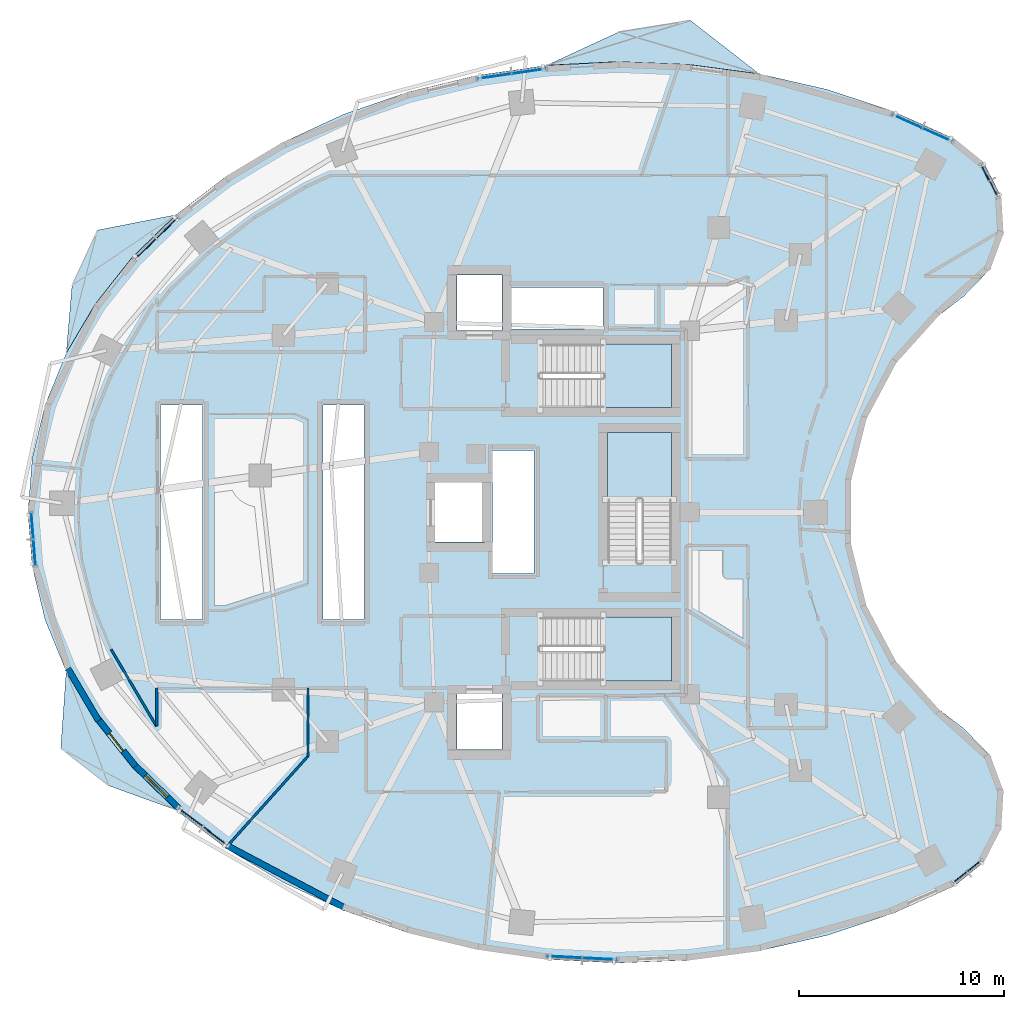
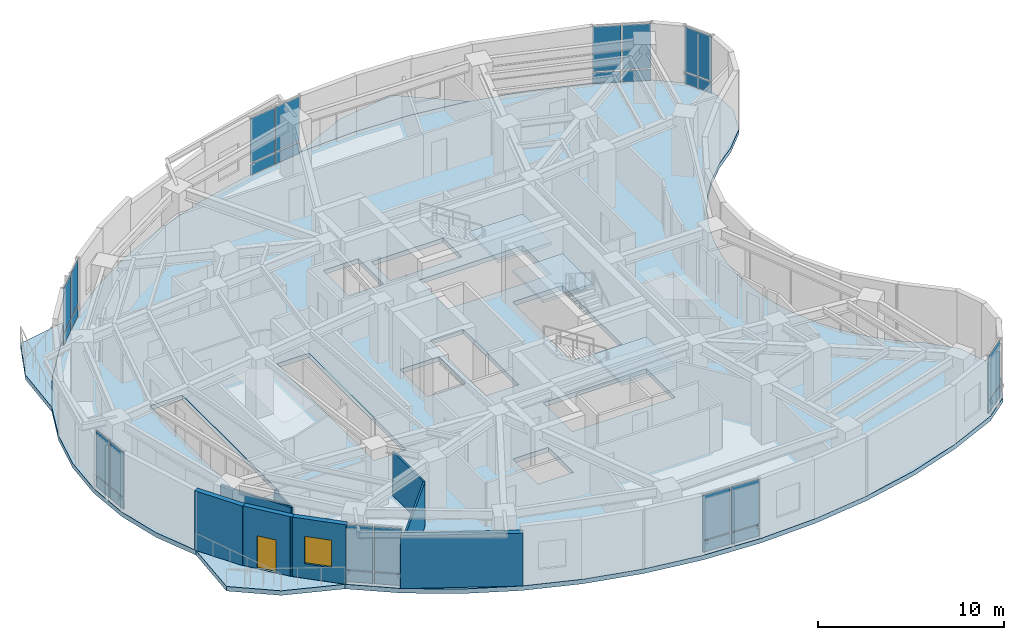
# One storey, part 7 of 15: 28 plates, 8 walls, 7 slabs, 1 door, 1 window, 2 openings, 11 elements without a shape of their own.
"""IFC4 building model written with IfcOpenShell, lengths in metres."""

from ifc_helpers import new_model, si_unit, direction, frame, frame_2d, origin, origin_2d, place, context, subcontext, project, spatial, polyline, rectangle, outline, extrude, material, layer, layer_set, type_object, element, fill, aggregate, save


model = new_model("IFC4")

# Units and contexts
model_context = context("Model", 3, precision=1e-05, world=origin(), true_north=direction((0.0, 1.0)))
body_context = subcontext(model_context, "Body", "Model", "MODEL_VIEW")
ifc_project = project(units=[si_unit("LENGTHUNIT", "METRE"), si_unit("AREAUNIT", "SQUARE_METRE"), si_unit("VOLUMEUNIT", "CUBIC_METRE"), si_unit("PLANEANGLEUNIT", "RADIAN"), si_unit("MASSUNIT", "GRAM", prefix="KILO")], contexts=[model_context])

# Site, building, storey
site_placement = place(None, origin())
site = spatial("IfcSite", under=ifc_project, at=site_placement, CompositionType="ELEMENT")
building_placement = place(site_placement, origin())
building = spatial("IfcBuilding", under=site, at=building_placement, Name="Korentha Bioscience Tower", CompositionType="ELEMENT")
storey_placement = place(building_placement, frame((0.0, 0.0, 98.39990234375)))
storey = spatial("IfcBuildingStorey", under=building, at=storey_placement, Name="L22", CompositionType="ELEMENT", Elevation=98.39990234375)

# Curtain wall, plates
ifc_material_1 = material(Name="Thermally Broken Aluminium Frame", Category="aluminium")
ifc_layer_1 = layer(ifc_material_1, 0.219970703125, Name="Thermally Broken Aluminium Frame")
ifc_layer_set_1 = layer_set([ifc_layer_1], Name="Thermally Broken Aluminium Frame (CW-T2)")
curtain_wall_type = type_object("IfcCurtainWallType", Name="Solar-Screened Lab Unitised Curtain Wall CW-T2", PredefinedType="USERDEFINED", material=ifc_layer_set_1)
curtain_wall_1_placement = place(storey_placement, origin())
curtain_wall_1 = element("IfcCurtainWall", 1, at=curtain_wall_1_placement, inside=storey, type_object=curtain_wall_type, Name="L22 Curtain Wall 01", ObjectType="UNITISED", PredefinedType="USERDEFINED")
ifc_material_2 = material(Name="Triple-Glazed Low-E Insulated Glass", Category="glass")
ifc_layer_2 = layer(ifc_material_2, 0.0439453125, Name="Triple-Glazed Low-E Insulated Glass")
ifc_layer_set_2 = layer_set([ifc_layer_2], Name="Triple-Glazed Low-E Insulated Glass (GL-44)")
plate_type = type_object("IfcPlateType", Name="Glazed Panel 44mm", PredefinedType="CURTAIN_PANEL", material=ifc_layer_set_2)
plate_1_placement = place(storey_placement, frame((49.61767578125, 45.385986328125, 0.08984375), z_axis=(0.0, 0.0, 1.0), x_axis=(-0.912686563127, 0.408660295952, 0.0)))
plate_1 = element("IfcPlate", 2, at=plate_1_placement, type_object=plate_type, Name="CW-L22-01 Bay 1 Glazed Panel 1", PredefinedType="CURTAIN_PANEL", context=body_context, shape_type="SweptSolid", body=[
    extrude(rectangle(XDim=1.54541015625, YDim=0.0439453125, at=origin_2d()), origin(), (0.0, 0.0, 1.0), 0.715087890625),
])
plate_2_placement = place(storey_placement, frame((49.61767578125, 45.385986328125, 0.89501953125), z_axis=(0.0, 0.0, 1.0), x_axis=(-0.912686563127, 0.408660295952, 0.0)))
plate_2 = element("IfcPlate", 3, at=plate_2_placement, type_object=plate_type, Name="CW-L22-01 Bay 1 Glazed Panel 2", PredefinedType="CURTAIN_PANEL", context=body_context, shape_type="SweptSolid", body=[
    extrude(rectangle(XDim=1.54541015625, YDim=0.0439453125, at=origin_2d()), origin(), (0.0, 0.0, 1.0), 2.9150390625),
])
plate_3_placement = place(storey_placement, frame((48.125, 46.05419921875, 0.08984375), z_axis=(0.0, 0.0, 1.0), x_axis=(-0.912686563127, 0.408660295952, 0.0)))
plate_3 = element("IfcPlate", 4, at=plate_3_placement, type_object=plate_type, Name="CW-L22-01 Bay 2 Glazed Panel 1", PredefinedType="CURTAIN_PANEL", context=body_context, shape_type="SweptSolid", body=[
    extrude(rectangle(XDim=1.54541015625, YDim=0.0439453125, at=origin_2d()), origin(), (0.0, 0.0, 1.0), 0.715087890625),
])
plate_4_placement = place(storey_placement, frame((48.125, 46.05419921875, 0.89501953125), z_axis=(0.0, 0.0, 1.0), x_axis=(-0.912686563127, 0.408660295952, 0.0)))
plate_4 = element("IfcPlate", 5, at=plate_4_placement, type_object=plate_type, Name="CW-L22-01 Bay 2 Glazed Panel 2", PredefinedType="CURTAIN_PANEL", context=body_context, shape_type="SweptSolid", body=[
    extrude(rectangle(XDim=1.54541015625, YDim=0.0439453125, at=origin_2d()), origin(), (0.0, 0.0, 1.0), 2.9150390625),
])
aggregate(curtain_wall_1, [plate_1, plate_2, plate_3, plate_4])

curtain_wall_2_placement = place(storey_placement, origin())
curtain_wall_2 = element("IfcCurtainWall", 6, at=curtain_wall_2_placement, inside=storey, type_object=curtain_wall_type, Name="L22 Curtain Wall 07", ObjectType="UNITISED", PredefinedType="USERDEFINED")
plate_5_placement = place(storey_placement, frame((29.724853515625, 48.486328125, 0.08984375), z_axis=(0.0, 0.0, 1.0), x_axis=(-0.989738282326, -0.14289203091, 0.0)))
plate_5 = element("IfcPlate", 7, at=plate_5_placement, type_object=plate_type, Name="CW-L22-07 Bay 1 Glazed Panel 1", PredefinedType="CURTAIN_PANEL", context=body_context, shape_type="SweptSolid", body=[
    extrude(rectangle(XDim=1.630615234375, YDim=0.0439453125, at=origin_2d()), origin(), (0.0, 0.0, 1.0), 0.715087890625),
])
plate_6_placement = place(storey_placement, frame((29.724853515625, 48.486328125, 0.89501953125), z_axis=(0.0, 0.0, 1.0), x_axis=(-0.989738282326, -0.14289203091, 0.0)))
plate_6 = element("IfcPlate", 8, at=plate_6_placement, type_object=plate_type, Name="CW-L22-07 Bay 1 Glazed Panel 2", PredefinedType="CURTAIN_PANEL", context=body_context, shape_type="SweptSolid", body=[
    extrude(rectangle(XDim=1.630615234375, YDim=0.0439453125, at=origin_2d()), origin(), (0.0, 0.0, 1.0), 2.9150390625),
])
plate_7_placement = place(storey_placement, frame((28.021728515625, 48.240478515625, 0.08984375), z_axis=(0.0, 0.0, 1.0), x_axis=(-0.989738282326, -0.14289203091, 0.0)))
plate_7 = element("IfcPlate", 9, at=plate_7_placement, type_object=plate_type, Name="CW-L22-07 Bay 2 Glazed Panel 1", PredefinedType="CURTAIN_PANEL", context=body_context, shape_type="SweptSolid", body=[
    extrude(rectangle(XDim=1.630615234375, YDim=0.0439453125, at=origin_2d()), origin(), (0.0, 0.0, 1.0), 0.715087890625),
])
plate_8_placement = place(storey_placement, frame((28.021728515625, 48.240478515625, 0.89501953125), z_axis=(0.0, 0.0, 1.0), x_axis=(-0.989738282326, -0.14289203091, 0.0)))
plate_8 = element("IfcPlate", 10, at=plate_8_placement, type_object=plate_type, Name="CW-L22-07 Bay 2 Glazed Panel 2", PredefinedType="CURTAIN_PANEL", context=body_context, shape_type="SweptSolid", body=[
    extrude(rectangle(XDim=1.630615234375, YDim=0.0439453125, at=origin_2d()), origin(), (0.0, 0.0, 1.0), 2.9150390625),
])
aggregate(curtain_wall_2, [plate_5, plate_6, plate_7, plate_8])

curtain_wall_3_placement = place(storey_placement, origin())
curtain_wall_3 = element("IfcCurtainWall", 11, at=curtain_wall_3_placement, inside=storey, type_object=curtain_wall_type, Name="L22 Curtain Wall 13", ObjectType="UNITISED", PredefinedType="USERDEFINED")
plate_9_placement = place(storey_placement, frame((12.09912109375, 40.858642578125, 0.08984375), z_axis=(0.0, 0.0, 1.0), x_axis=(-0.716095631804, -0.698002182025, 0.0)))
plate_9 = element("IfcPlate", 12, at=plate_9_placement, type_object=plate_type, Name="CW-L22-13 Bay 1 Glazed Panel 1", PredefinedType="CURTAIN_PANEL", context=body_context, shape_type="SweptSolid", body=[
    extrude(rectangle(XDim=1.39599609375, YDim=0.0439453125, at=origin_2d()), origin(), (0.0, 0.0, 1.0), 0.715087890625),
])
plate_10_placement = place(storey_placement, frame((12.09912109375, 40.858642578125, 0.89501953125), z_axis=(0.0, 0.0, 1.0), x_axis=(-0.716095631804, -0.698002182025, 0.0)))
plate_10 = element("IfcPlate", 13, at=plate_10_placement, type_object=plate_type, Name="CW-L22-13 Bay 1 Glazed Panel 2", PredefinedType="CURTAIN_PANEL", context=body_context, shape_type="SweptSolid", body=[
    extrude(rectangle(XDim=1.39599609375, YDim=0.0439453125, at=origin_2d()), origin(), (0.0, 0.0, 1.0), 2.9150390625),
])
plate_11_placement = place(storey_placement, frame((11.034912109375, 39.8212890625, 0.08984375), z_axis=(0.0, 0.0, 1.0), x_axis=(-0.716095631804, -0.698002182025, 0.0)))
plate_11 = element("IfcPlate", 14, at=plate_11_placement, type_object=plate_type, Name="CW-L22-13 Bay 2 Glazed Panel 1", PredefinedType="CURTAIN_PANEL", context=body_context, shape_type="SweptSolid", body=[
    extrude(rectangle(XDim=1.39599609375, YDim=0.0439453125, at=origin_2d()), origin(), (0.0, 0.0, 1.0), 0.715087890625),
])
plate_12_placement = place(storey_placement, frame((11.034912109375, 39.8212890625, 0.89501953125), z_axis=(0.0, 0.0, 1.0), x_axis=(-0.716095631804, -0.698002182025, 0.0)))
plate_12 = element("IfcPlate", 15, at=plate_12_placement, type_object=plate_type, Name="CW-L22-13 Bay 2 Glazed Panel 2", PredefinedType="CURTAIN_PANEL", context=body_context, shape_type="SweptSolid", body=[
    extrude(rectangle(XDim=1.39599609375, YDim=0.0439453125, at=origin_2d()), origin(), (0.0, 0.0, 1.0), 2.9150390625),
])
aggregate(curtain_wall_3, [plate_9, plate_10, plate_11, plate_12])

curtain_wall_4_placement = place(storey_placement, origin())
curtain_wall_4 = element("IfcCurtainWall", 16, at=curtain_wall_4_placement, inside=storey, type_object=curtain_wall_type, Name="L22 Curtain Wall 19", ObjectType="UNITISED", PredefinedType="USERDEFINED")
plate_13_placement = place(storey_placement, frame((5.52587890625, 26.35205078125, 0.08984375), z_axis=(0.0, 0.0, 1.0), x_axis=(0.079130214674, -0.996864288219, 0.0)))
plate_13 = element("IfcPlate", 17, at=plate_13_placement, type_object=plate_type, Name="CW-L22-19 Bay 1 Glazed Panel 1", PredefinedType="CURTAIN_PANEL", context=body_context, shape_type="SweptSolid", body=[
    extrude(rectangle(XDim=1.225341796875, YDim=0.0439453125, at=origin_2d()), origin(), (0.0, 0.0, 1.0), 0.715087890625),
])
plate_14_placement = place(storey_placement, frame((5.52587890625, 26.35205078125, 0.89501953125), z_axis=(0.0, 0.0, 1.0), x_axis=(0.079130214674, -0.996864288219, 0.0)))
plate_14 = element("IfcPlate", 18, at=plate_14_placement, type_object=plate_type, Name="CW-L22-19 Bay 1 Glazed Panel 2", PredefinedType="CURTAIN_PANEL", context=body_context, shape_type="SweptSolid", body=[
    extrude(rectangle(XDim=1.225341796875, YDim=0.0439453125, at=origin_2d()), origin(), (0.0, 0.0, 1.0), 2.9150390625),
])
plate_15_placement = place(storey_placement, frame((5.6298828125, 25.040771484375, 0.08984375), z_axis=(0.0, 0.0, 1.0), x_axis=(0.079130214674, -0.996864288219, 0.0)))
plate_15 = element("IfcPlate", 19, at=plate_15_placement, type_object=plate_type, Name="CW-L22-19 Bay 2 Glazed Panel 1", PredefinedType="CURTAIN_PANEL", context=body_context, shape_type="SweptSolid", body=[
    extrude(rectangle(XDim=1.225341796875, YDim=0.0439453125, at=origin_2d()), origin(), (0.0, 0.0, 1.0), 0.715087890625),
])
plate_16_placement = place(storey_placement, frame((5.6298828125, 25.040771484375, 0.89501953125), z_axis=(0.0, 0.0, 1.0), x_axis=(0.079130214674, -0.996864288219, 0.0)))
plate_16 = element("IfcPlate", 20, at=plate_16_placement, type_object=plate_type, Name="CW-L22-19 Bay 2 Glazed Panel 2", PredefinedType="CURTAIN_PANEL", context=body_context, shape_type="SweptSolid", body=[
    extrude(rectangle(XDim=1.225341796875, YDim=0.0439453125, at=origin_2d()), origin(), (0.0, 0.0, 1.0), 2.9150390625),
])
aggregate(curtain_wall_4, [plate_13, plate_14, plate_15, plate_16])

curtain_wall_5_placement = place(storey_placement, origin())
curtain_wall_5 = element("IfcCurtainWall", 21, at=curtain_wall_5_placement, inside=storey, type_object=curtain_wall_type, Name="L22 Curtain Wall 25", ObjectType="UNITISED", PredefinedType="USERDEFINED")
plate_17_placement = place(storey_placement, frame((13.234619140625, 12.162353515625, 0.08984375), z_axis=(0.0, 0.0, 1.0), x_axis=(0.794499603893, -0.607264669986, 0.0)))
plate_17 = element("IfcPlate", 22, at=plate_17_placement, type_object=plate_type, Name="CW-L22-25 Bay 1 Glazed Panel 1", PredefinedType="CURTAIN_PANEL", context=body_context, shape_type="SweptSolid", body=[
    extrude(rectangle(XDim=1.4462890625, YDim=0.0439453125, at=origin_2d()), origin(), (0.0, 0.0, 1.0), 0.715087890625),
])
plate_18_placement = place(storey_placement, frame((13.234619140625, 12.162353515625, 0.89501953125), z_axis=(0.0, 0.0, 1.0), x_axis=(0.794499603893, -0.607264669986, 0.0)))
plate_18 = element("IfcPlate", 23, at=plate_18_placement, type_object=plate_type, Name="CW-L22-25 Bay 1 Glazed Panel 2", PredefinedType="CURTAIN_PANEL", context=body_context, shape_type="SweptSolid", body=[
    extrude(rectangle(XDim=1.4462890625, YDim=0.0439453125, at=origin_2d()), origin(), (0.0, 0.0, 1.0), 2.9150390625),
])
plate_19_placement = place(storey_placement, frame((14.455078125, 11.229248046875, 0.08984375), z_axis=(0.0, 0.0, 1.0), x_axis=(0.794499603893, -0.607264669986, 0.0)))
plate_19 = element("IfcPlate", 24, at=plate_19_placement, type_object=plate_type, Name="CW-L22-25 Bay 2 Glazed Panel 1", PredefinedType="CURTAIN_PANEL", context=body_context, shape_type="SweptSolid", body=[
    extrude(rectangle(XDim=1.4462890625, YDim=0.0439453125, at=origin_2d()), origin(), (0.0, 0.0, 1.0), 0.715087890625),
])
plate_20_placement = place(storey_placement, frame((14.455078125, 11.229248046875, 0.89501953125), z_axis=(0.0, 0.0, 1.0), x_axis=(0.794499603893, -0.607264669986, 0.0)))
plate_20 = element("IfcPlate", 25, at=plate_20_placement, type_object=plate_type, Name="CW-L22-25 Bay 2 Glazed Panel 2", PredefinedType="CURTAIN_PANEL", context=body_context, shape_type="SweptSolid", body=[
    extrude(rectangle(XDim=1.4462890625, YDim=0.0439453125, at=origin_2d()), origin(), (0.0, 0.0, 1.0), 2.9150390625),
])
aggregate(curtain_wall_5, [plate_17, plate_18, plate_19, plate_20])

curtain_wall_6_placement = place(storey_placement, origin())
curtain_wall_6 = element("IfcCurtainWall", 26, at=curtain_wall_6_placement, inside=storey, type_object=curtain_wall_type, Name="L22 Curtain Wall 31", ObjectType="UNITISED", PredefinedType="USERDEFINED")
plate_21_placement = place(storey_placement, frame((31.436279296875, 5.346435546875, 0.08984375), z_axis=(0.0, 0.0, 1.0), x_axis=(0.998673231344, -0.051495407527, 0.0)))
plate_21 = element("IfcPlate", 27, at=plate_21_placement, type_object=plate_type, Name="CW-L22-31 Bay 1 Glazed Panel 1", PredefinedType="CURTAIN_PANEL", context=body_context, shape_type="SweptSolid", body=[
    extrude(rectangle(XDim=1.641845703125, YDim=0.0439453125, at=origin_2d()), origin(), (0.0, 0.0, 1.0), 0.715087890625),
])
plate_22_placement = place(storey_placement, frame((31.436279296875, 5.346435546875, 0.89501953125), z_axis=(0.0, 0.0, 1.0), x_axis=(0.998673231344, -0.051495407527, 0.0)))
plate_22 = element("IfcPlate", 28, at=plate_22_placement, type_object=plate_type, Name="CW-L22-31 Bay 1 Glazed Panel 2", PredefinedType="CURTAIN_PANEL", context=body_context, shape_type="SweptSolid", body=[
    extrude(rectangle(XDim=1.641845703125, YDim=0.0439453125, at=origin_2d()), origin(), (0.0, 0.0, 1.0), 2.9150390625),
])
plate_23_placement = place(storey_placement, frame((33.166015625, 5.25732421875, 0.08984375), z_axis=(0.0, 0.0, 1.0), x_axis=(0.998673231344, -0.051495407527, 0.0)))
plate_23 = element("IfcPlate", 29, at=plate_23_placement, type_object=plate_type, Name="CW-L22-31 Bay 2 Glazed Panel 1", PredefinedType="CURTAIN_PANEL", context=body_context, shape_type="SweptSolid", body=[
    extrude(rectangle(XDim=1.641845703125, YDim=0.0439453125, at=origin_2d()), origin(), (0.0, 0.0, 1.0), 0.715087890625),
])
plate_24_placement = place(storey_placement, frame((33.166015625, 5.25732421875, 0.89501953125), z_axis=(0.0, 0.0, 1.0), x_axis=(0.998673231344, -0.051495407527, 0.0)))
plate_24 = element("IfcPlate", 30, at=plate_24_placement, type_object=plate_type, Name="CW-L22-31 Bay 2 Glazed Panel 2", PredefinedType="CURTAIN_PANEL", context=body_context, shape_type="SweptSolid", body=[
    extrude(rectangle(XDim=1.641845703125, YDim=0.0439453125, at=origin_2d()), origin(), (0.0, 0.0, 1.0), 2.9150390625),
])
aggregate(curtain_wall_6, [plate_21, plate_22, plate_23, plate_24])

curtain_wall_7_placement = place(storey_placement, origin())
curtain_wall_7 = element("IfcCurtainWall", 31, at=curtain_wall_7_placement, inside=storey, type_object=curtain_wall_type, Name="L22 Curtain Wall 37", ObjectType="UNITISED", PredefinedType="USERDEFINED")
plate_25_placement = place(storey_placement, frame((51.04736328125, 9.506591796875, 0.08984375), z_axis=(0.0, 0.0, 1.0), x_axis=(0.777315301098, 0.629111216463, 0.0)))
plate_25 = element("IfcPlate", 32, at=plate_25_placement, type_object=plate_type, Name="CW-L22-37 Bay 1 Glazed Panel 1", PredefinedType="CURTAIN_PANEL", context=body_context, shape_type="SweptSolid", body=[
    extrude(rectangle(XDim=1.737548828125, YDim=0.0439453125, at=origin_2d()), origin(), (0.0, 0.0, 1.0), 0.715087890625),
])
plate_26_placement = place(storey_placement, frame((51.04736328125, 9.506591796875, 0.89501953125), z_axis=(0.0, 0.0, 1.0), x_axis=(0.777315301098, 0.629111216463, 0.0)))
plate_26 = element("IfcPlate", 33, at=plate_26_placement, type_object=plate_type, Name="CW-L22-37 Bay 1 Glazed Panel 2", PredefinedType="CURTAIN_PANEL", context=body_context, shape_type="SweptSolid", body=[
    extrude(rectangle(XDim=1.737548828125, YDim=0.0439453125, at=origin_2d()), origin(), (0.0, 0.0, 1.0), 2.9150390625),
])
aggregate(curtain_wall_7, [plate_25, plate_26])

curtain_wall_8_placement = place(storey_placement, origin())
curtain_wall_8 = element("IfcCurtainWall", 34, at=curtain_wall_8_placement, inside=storey, type_object=curtain_wall_type, Name="L22 Curtain Wall 61", ObjectType="UNITISED", PredefinedType="USERDEFINED")
plate_27_placement = place(storey_placement, frame((52.140380859375, 43.149658203125, 0.08984375), z_axis=(0.0, 0.0, 1.0), x_axis=(-0.457613117169, 0.889151412862, 0.0)))
plate_27 = element("IfcPlate", 35, at=plate_27_placement, type_object=plate_type, Name="CW-L22-61 Bay 1 Glazed Panel 1", PredefinedType="CURTAIN_PANEL", context=body_context, shape_type="SweptSolid", body=[
    extrude(rectangle(XDim=1.737548828125, YDim=0.0439453125, at=origin_2d()), origin(), (0.0, 0.0, 1.0), 0.715087890625),
])
plate_28_placement = place(storey_placement, frame((52.140380859375, 43.149658203125, 0.89501953125), z_axis=(0.0, 0.0, 1.0), x_axis=(-0.457613117169, 0.889151412862, 0.0)))
plate_28 = element("IfcPlate", 36, at=plate_28_placement, type_object=plate_type, Name="CW-L22-61 Bay 1 Glazed Panel 2", PredefinedType="CURTAIN_PANEL", context=body_context, shape_type="SweptSolid", body=[
    extrude(rectangle(XDim=1.737548828125, YDim=0.0439453125, at=origin_2d()), origin(), (0.0, 0.0, 1.0), 2.9150390625),
])
aggregate(curtain_wall_8, [plate_27, plate_28])

# Slab
ifc_material_3 = material(Name="Concrete C50", Category="concrete")
ifc_layer_3 = layer(ifc_material_3, 0.300048828125, Name="Concrete C50")
ifc_layer_set_3 = layer_set([ifc_layer_3], Name="Concrete C50 (SL-L300)")
slab_type_1 = type_object("IfcSlabType", Name="Laboratory Vibration-Controlled Slab 300", PredefinedType="FLOOR", material=ifc_layer_set_3)
slab_1_placement = place(storey_placement, frame((0.0, 0.0, -0.2998046875)))
element("IfcSlab", 37, at=slab_1_placement, inside=storey, type_object=slab_type_1, Name="L22 Tower Structural Floor Slab", PredefinedType="FLOOR", context=body_context, shape_type="SweptSolid", body=[
    extrude(outline(polyline([(50.433837890625, 45.19580078125), (47.439697265625, 46.53662109375), (44.2548828125, 47.59521484375), (40.925537109375, 48.3564453125), (37.5, 48.809326171875), (34.027587890625, 48.947265625), (30.558349609375, 48.7685546875), (27.142333984375, 48.275390625), (23.8291015625, 47.474853515625), (20.66650390625, 46.37890625), (17.69970703125, 45.003173828125), (14.972412109375, 43.367431640625), (12.52294921875, 41.495361328125), (10.3876953125, 39.413818359375), (8.5966796875, 37.1533203125), (7.17626953125, 34.74609375), (6.146484375, 32.22705078125), (5.52294921875, 29.632568359375), (5.31396484375, 27.0), (5.52294921875, 24.367431640625), (6.146484375, 21.77294921875), (7.17626953125, 19.25390625), (8.5966796875, 16.8466796875), (10.3876953125, 14.586181640625), (12.52294921875, 12.504638671875), (14.972412109375, 10.632568359375), (17.69970703125, 8.996826171875), (20.66650390625, 7.62109375), (23.8291015625, 6.525146484375), (27.142333984375, 5.724609375), (30.558349609375, 5.2314453125), (34.027587890625, 5.052734375), (37.5, 5.190673828125), (40.925537109375, 5.6435546875), (44.2548828125, 6.40478515625), (47.439697265625, 7.46337890625), (50.433837890625, 8.80419921875), (51.8623046875, 9.960205078125), (52.703125, 11.593994140625), (52.813720703125, 13.42822265625), (52.175537109375, 15.1513671875), (50.896484375, 16.470703125), (49.666259765625, 17.414794921875), (48.560302734375, 18.501708984375), (47.594970703125, 19.715087890625), (46.78466796875, 21.037353515625), (46.1416015625, 22.448486328125), (45.67529296875, 23.927490234375), (45.392578125, 25.4521484375), (45.298095703125, 27.0), (45.392578125, 28.5478515625), (45.67529296875, 30.072509765625), (46.1416015625, 31.551513671875), (46.78466796875, 32.962646484375), (47.594970703125, 34.284912109375), (48.560302734375, 35.498291015625), (49.666259765625, 36.585205078125), (50.896484375, 37.529296875), (52.175537109375, 38.8486328125), (52.813720703125, 40.57177734375), (52.703125, 42.406005859375), (51.8623046875, 44.039794921875), (50.433837890625, 45.19580078125)]), holes=[polyline([(30.25, 32.10009765625), (36.64990234375, 32.10009765625), (36.64990234375, 35.199951171875), (30.25, 35.199951171875), (30.25, 32.10009765625)]), polyline([(30.25, 18.800048828125), (36.64990234375, 18.800048828125), (36.64990234375, 21.89990234375), (30.25, 21.89990234375), (30.25, 18.800048828125)]), polyline([(36.64990234375, 24.550048828125), (36.64990234375, 30.89990234375), (33.550048828125, 30.89990234375), (33.550048828125, 24.550048828125), (36.64990234375, 24.550048828125)]), polyline([(11.780029296875, 21.780029296875), (13.820068359375, 21.780029296875), (13.820068359375, 32.219970703125), (11.780029296875, 32.219970703125), (11.780029296875, 21.780029296875)]), polyline([(19.679931640625, 21.780029296875), (21.669921875, 21.780029296875), (21.669921875, 32.219970703125), (19.679931640625, 32.219970703125), (19.679931640625, 21.780029296875)]), polyline([(27.929931640625, 24.030029296875), (29.969970703125, 24.030029296875), (29.969970703125, 30.02001953125), (27.929931640625, 30.02001953125), (27.929931640625, 24.030029296875)]), polyline([(28.860107421875, 35.93994140625), (33.31005859375, 35.93994140625), (33.31005859375, 37.9599609375), (28.860107421875, 37.9599609375), (28.860107421875, 35.93994140625)]), polyline([(26.199951171875, 15.449951171875), (28.39990234375, 15.449951171875), (28.39990234375, 18.14990234375), (26.199951171875, 18.14990234375), (26.199951171875, 15.449951171875)]), polyline([(26.199951171875, 35.85009765625), (28.39990234375, 35.85009765625), (28.39990234375, 38.550048828125), (26.199951171875, 38.550048828125), (26.199951171875, 35.85009765625)]), polyline([(25.14990234375, 25.550048828125), (27.550048828125, 25.550048828125), (27.550048828125, 28.449951171875), (25.14990234375, 28.449951171875), (25.14990234375, 25.550048828125)])]), origin(), (0.0, 0.0, 1.0), 0.2998046875),
])

# Stair, slab
ifc_material_4 = material(Name="Precast Concrete C50", Category="concrete")
stair_type = type_object("IfcStairType", Name="Core Exit Dog-Leg Stair 1450", PredefinedType="HALF_TURN_STAIR", material=ifc_material_4)
stair_1_placement = place(storey_placement, origin())
stair_1 = element("IfcStair", 38, at=stair_1_placement, inside=storey, type_object=stair_type, Name="L22 Tower North Pressurized Exit Stair ST-1", PredefinedType="HALF_TURN_STAIR")
ifc_layer_4 = layer(ifc_material_3, 0.199951171875, Name="Concrete C50")
ifc_layer_set_4 = layer_set([ifc_layer_4], Name="Concrete C50 (SL-LND)")
slab_type_2 = type_object("IfcSlabType", Name="Landing Slab 200", PredefinedType="LANDING", material=ifc_layer_set_4)
slab_2_placement = place(storey_placement, frame((0.0, 0.0, 1.900146484375)))
slab_2 = element("IfcSlab", 39, at=slab_2_placement, type_object=slab_type_2, Name="ST-1 landing 1", PredefinedType="LANDING", context=body_context, shape_type="SweptSolid", body=[
    extrude(outline(polyline([(33.330078125, 32.10009765625), (36.64990234375, 32.10009765625), (36.64990234375, 35.199951171875), (33.330078125, 35.199951171875), (33.330078125, 32.10009765625)])), origin(), (0.0, 0.0, 1.0), 0.199951171875),
])
aggregate(stair_1, [slab_2])

stair_2_placement = place(storey_placement, origin())
stair_2 = element("IfcStair", 40, at=stair_2_placement, inside=storey, type_object=stair_type, Name="L22 Tower South Pressurized Exit Stair ST-2", PredefinedType="HALF_TURN_STAIR")
slab_3_placement = place(storey_placement, frame((0.0, 0.0, 1.900146484375)))
slab_3 = element("IfcSlab", 41, at=slab_3_placement, type_object=slab_type_2, Name="ST-2 landing 1", PredefinedType="LANDING", context=body_context, shape_type="SweptSolid", body=[
    extrude(outline(polyline([(33.330078125, 18.800048828125), (36.64990234375, 18.800048828125), (36.64990234375, 21.89990234375), (33.330078125, 21.89990234375), (33.330078125, 18.800048828125)])), origin(), (0.0, 0.0, 1.0), 0.199951171875),
])
aggregate(stair_2, [slab_3])

stair_3_placement = place(storey_placement, origin())
stair_3 = element("IfcStair", 42, at=stair_3_placement, inside=storey, type_object=stair_type, Name="L22 Tower Central Pressurized Exit Stair ST-3", PredefinedType="HALF_TURN_STAIR")
slab_4_placement = place(storey_placement, frame((0.0, 0.0, 1.900146484375)))
slab_4 = element("IfcSlab", 43, at=slab_4_placement, type_object=slab_type_2, Name="ST-3 landing 1", PredefinedType="LANDING", context=body_context, shape_type="SweptSolid", body=[
    extrude(outline(polyline([(36.64990234375, 27.6298828125), (36.64990234375, 30.89990234375), (33.550048828125, 30.89990234375), (33.550048828125, 27.6298828125), (36.64990234375, 27.6298828125)])), origin(), (0.0, 0.0, 1.0), 0.199951171875),
])
aggregate(stair_3, [slab_4])

# Slabs
ifc_layer_5 = layer(ifc_material_3, 0.300048828125, Name="Concrete C50")
ifc_layer_set_5 = layer_set([ifc_layer_5], Name="Concrete C50 (BS-240)")
slab_type_3 = type_object("IfcSlabType", Name="Sawtooth Sun-Ledge Balcony Slab 240", PredefinedType="USERDEFINED", material=ifc_layer_set_5)
slab_5_placement = place(storey_placement, frame((0.0, 0.0, -0.2998046875)))
element("IfcSlab", 44, at=slab_5_placement, inside=storey, type_object=slab_type_3, Name="L22 Sun-Ledge Balcony 01", ObjectType="BALCONY", PredefinedType="USERDEFINED", context=body_context, shape_type="SweptSolid", body=[
    extrude(outline(polyline([(30.558349609375, 48.7685546875), (34.027587890625, 48.947265625), (37.5, 48.809326171875), (40.925537109375, 48.3564453125), (37.58544921875, 50.95751953125), (34.085205078125, 50.396240234375), (30.558349609375, 48.7685546875)])), origin(), (0.0, 0.0, 1.0), 0.2998046875),
])
slab_6_placement = place(storey_placement, frame((0.0, 0.0, -0.2998046875)))
element("IfcSlab", 45, at=slab_6_placement, inside=storey, type_object=slab_type_3, Name="L22 Sun-Ledge Balcony 02", ObjectType="BALCONY", PredefinedType="USERDEFINED", context=body_context, shape_type="SweptSolid", body=[
    extrude(outline(polyline([(7.17626953125, 34.74609375), (8.5966796875, 37.1533203125), (10.3876953125, 39.413818359375), (12.52294921875, 41.495361328125), (8.702392578125, 40.7490234375), (7.4599609375, 38.0537109375), (7.17626953125, 34.74609375)])), origin(), (0.0, 0.0, 1.0), 0.2998046875),
])
slab_7_placement = place(storey_placement, frame((0.0, 0.0, -0.2998046875)))
element("IfcSlab", 46, at=slab_7_placement, inside=storey, type_object=slab_type_3, Name="L22 Sun-Ledge Balcony 03", ObjectType="BALCONY", PredefinedType="USERDEFINED", context=body_context, shape_type="SweptSolid", body=[
    extrude(outline(polyline([(12.52294921875, 12.504638671875), (10.3876953125, 14.586181640625), (8.5966796875, 16.8466796875), (7.17626953125, 19.25390625), (6.911376953125, 15.51171875), (9.2509765625, 13.685791015625), (12.52294921875, 12.504638671875)])), origin(), (0.0, 0.0, 1.0), 0.2998046875),
])

# Walls
ifc_material_5 = material(Name="Fire-Rated Framed Glass", Category="glass")
ifc_layer_6 = layer(ifc_material_5, 0.110107421875, Name="Fire-Rated Framed Glass")
ifc_layer_set_6 = layer_set([ifc_layer_6], Name="Fire-Rated Framed Glass (IW-G110)")
wall_type_1 = type_object("IfcWallType", Name="Demountable Glazed Office Partition 110", PredefinedType="MOVABLE", material=ifc_layer_set_6)
wall_1_placement = place(storey_placement, frame((9.359130859375, 20.336181640625, 0.0), z_axis=(0.0, 0.0, 1.0), x_axis=(0.508164254342, -0.86126017591, 0.0)))
element("IfcWall", 47, at=wall_1_placement, inside=storey, type_object=wall_type_1, Name="L22 Interior Partition 025", PredefinedType="MOVABLE", context=body_context, shape_type="SweptSolid", body=[
    extrude(rectangle(XDim=4.353271484375, YDim=0.110107421875, at=frame_2d((2.1767578125, 0.0))), origin(), (0.0, 0.0, 1.0), 2.91015625),
])
wall_2_placement = place(storey_placement, frame((11.590087890625, 16.592041015625, 0.0), z_axis=(0.0, 0.0, 1.0), x_axis=(0.0, 1.0, 0.0)))
element("IfcWall", 48, at=wall_2_placement, inside=storey, type_object=wall_type_1, Name="L22 Interior Partition 026", PredefinedType="MOVABLE", context=body_context, shape_type="SweptSolid", body=[
    extrude(rectangle(XDim=1.847900390625, YDim=0.110107421875, at=frame_2d((0.923828125, 0.0))), origin(), (0.0, 0.0, 1.0), 2.91015625),
])
wall_3_placement = place(storey_placement, frame((18.947998046875, 18.43994140625, 0.0), z_axis=(0.0, 0.0, 1.0), x_axis=(0.0, -1.0, 0.0)))
element("IfcWall", 49, at=wall_3_placement, inside=storey, type_object=wall_type_1, Name="L22 Interior Partition 027", PredefinedType="MOVABLE", context=body_context, shape_type="SweptSolid", body=[
    extrude(rectangle(XDim=3.317138671875, YDim=0.110107421875, at=frame_2d((1.65869140625, 0.0))), origin(), (0.0, 0.0, 1.0), 2.91015625),
])
wall_4_placement = place(storey_placement, frame((18.947998046875, 15.12255859375, 0.0), z_axis=(0.0, 0.0, 1.0), x_axis=(-0.667833771006, -0.744310455592, 0.0)))
element("IfcWall", 50, at=wall_4_placement, inside=storey, type_object=wall_type_1, Name="L22 Interior Partition 028", PredefinedType="MOVABLE", context=body_context, shape_type="SweptSolid", body=[
    extrude(rectangle(XDim=5.979248046875, YDim=0.110107421875, at=frame_2d((2.98974609375, 0.0))), origin(), (0.0, 0.0, 1.0), 2.91015625),
])

# Wall, opening, door
ifc_material_6 = material(Name="Honed Limestone Precast Concrete C40", Category="masonry")
ifc_layer_7 = layer(ifc_material_6, 0.300048828125, Name="Honed Limestone Precast Concrete C40")
ifc_layer_set_7 = layer_set([ifc_layer_7], Name="Honed Limestone Precast Concrete C40 (EW-ST300)")
wall_type_2 = type_object("IfcWallType", Name="Honed Limestone Cavity Spandrel Wall 300", PredefinedType="STANDARD", material=ifc_layer_set_7)
wall_5_placement = place(storey_placement, frame((8.684814453125, 16.9931640625, 0.0), z_axis=(0.0, 0.0, 1.0), x_axis=(0.620971431761, -0.783833197139, 0.0)))
wall_5 = element("IfcWall", 51, at=wall_5_placement, inside=storey, type_object=wall_type_2, Name="L22 Balcony Threshold Wall 03", PredefinedType="STANDARD", context=body_context, shape_type="SweptSolid", body=[
    extrude(rectangle(XDim=3.004150390625, YDim=0.300048828125, at=frame_2d((1.501953125, 0.0))), origin(), (0.0, 0.0, 1.0), 3.900146484375),
])
opening_1_placement = place(wall_5_placement, frame((0.951904296875, 0.0, 0.0)))
opening_1 = element("IfcOpeningElement", 52, at=opening_1_placement, cuts=wall_5, Name="Opening BD-11L", PredefinedType="OPENING", context=body_context, shape_type="SweptSolid", body=[
    extrude(rectangle(XDim=1.10009765625, YDim=2.14990234375, at=frame_2d((0.550048828125, 1.074951171875))), frame((0.0, 0.1650390625, 0.0), z_axis=(0.0, -1.0, 0.0), x_axis=(1.0, 0.0, 0.0)), (0.0, 0.0, 1.0), 0.329833984375),
])
ifc_material_7 = material(Name="Thermally Broken Glazed Aluminium", Category="aluminium")
door_type = type_object("IfcDoorType", Name="Balcony Terrace Glazed Door 1100x2150 Left", OperationType="SINGLE_SWING_LEFT", PredefinedType="DOOR", material=ifc_material_7)
door_placement = place(opening_1_placement, origin())
door = element("IfcDoor", 53, at=door_placement, inside=storey, type_object=door_type, Name="L22 Balcony Access Door 03", OperationType="SINGLE_SWING_LEFT", OverallHeight=2.14990234375, OverallWidth=1.10009765625, PredefinedType="DOOR", context=body_context, shape_type="SweptSolid", body=[
    extrude(rectangle(XDim=1.10009765625, YDim=2.14990234375, at=frame_2d((0.550048828125, 1.074951171875))), frame((0.0, 0.02490234375, 0.0), z_axis=(0.0, -1.0, 0.0), x_axis=(1.0, 0.0, 0.0)), (0.0, 0.0, 1.0), 0.050048828125),
])
fill(opening_1, door)

# Wall, opening, window
wall_6_placement = place(storey_placement, frame((10.456298828125, 14.74267578125, 0.0), z_axis=(0.0, 0.0, 1.0), x_axis=(0.716099460419, -0.697998254144, 0.0)))
wall_6 = element("IfcWall", 54, at=wall_6_placement, inside=storey, type_object=wall_type_2, Name="L22 Honed Limestone Spandrel Wall 24", PredefinedType="STANDARD", context=body_context, shape_type="SweptSolid", body=[
    extrude(rectangle(XDim=3.10205078125, YDim=0.300048828125, at=frame_2d((1.551025390625, 0.0))), origin(), (0.0, 0.0, 1.0), 3.900146484375),
])
opening_2_placement = place(wall_6_placement, frame((0.801025390625, 0.0, 0.949951171875)))
opening_2 = element("IfcOpeningElement", 55, at=opening_2_placement, cuts=wall_6, Name="Opening WN-02", PredefinedType="OPENING", context=body_context, shape_type="SweptSolid", body=[
    extrude(rectangle(XDim=1.5, YDim=1.800048828125, at=frame_2d((0.75, 0.89990234375))), frame((0.0, 0.1650390625, 0.0), z_axis=(0.0, -1.0, 0.0), x_axis=(1.0, 0.0, 0.0)), (0.0, 0.0, 1.0), 0.329833984375),
])
ifc_material_8 = material(Name="Thermally Broken Aluminium Triple Glazing", Category="aluminium")
window_type = type_object("IfcWindowType", Name="Acoustic Operable Office Window 1500x1800", PartitioningType="DOUBLE_PANEL_VERTICAL", PredefinedType="WINDOW", material=ifc_material_8)
window_placement = place(opening_2_placement, origin())
window = element("IfcWindow", 56, at=window_placement, inside=storey, type_object=window_type, Name="L22 Facade Window 24", OverallHeight=1.800048828125, OverallWidth=1.5, PartitioningType="DOUBLE_PANEL_VERTICAL", PredefinedType="WINDOW", context=body_context, shape_type="SweptSolid", body=[
    extrude(rectangle(XDim=1.5, YDim=1.800048828125, at=frame_2d((0.75, 0.89990234375))), frame((0.0, 0.030029296875, 0.0), z_axis=(0.0, -1.0, 0.0), x_axis=(1.0, 0.0, 0.0)), (0.0, 0.0, 1.0), 0.06005859375),
])
fill(opening_2, window)

# Walls
wall_7_placement = place(storey_placement, frame((7.256103515625, 19.393798828125, 0.0), z_axis=(0.0, 0.0, 1.0), x_axis=(0.508200342003, -0.861238882302, 0.0)))
element("IfcWall", 57, at=wall_7_placement, inside=storey, type_object=wall_type_2, Name="L22 Limestone Perimeter Closure Wall 22", PredefinedType="STANDARD", context=body_context, shape_type="SweptSolid", body=[
    extrude(rectangle(XDim=2.954833984375, YDim=0.300048828125, at=frame_2d((1.4775390625, 0.0))), origin(), (0.0, 0.0, 1.0), 3.900146484375),
])
wall_8_placement = place(storey_placement, frame((14.967041015625, 10.793701171875, 0.0), z_axis=(0.0, 0.0, 1.0), x_axis=(0.883986649445, -0.467512142734, 0.0)))
element("IfcWall", 58, at=wall_8_placement, inside=storey, type_object=wall_type_2, Name="L22 Limestone Perimeter Closure Wall 26", PredefinedType="STANDARD", context=body_context, shape_type="SweptSolid", body=[
    extrude(rectangle(XDim=6.601318359375, YDim=0.300048828125, at=frame_2d((3.30078125, 0.0))), origin(), (0.0, 0.0, 1.0), 3.47021484375),
])

save(model, "model.ifc")
